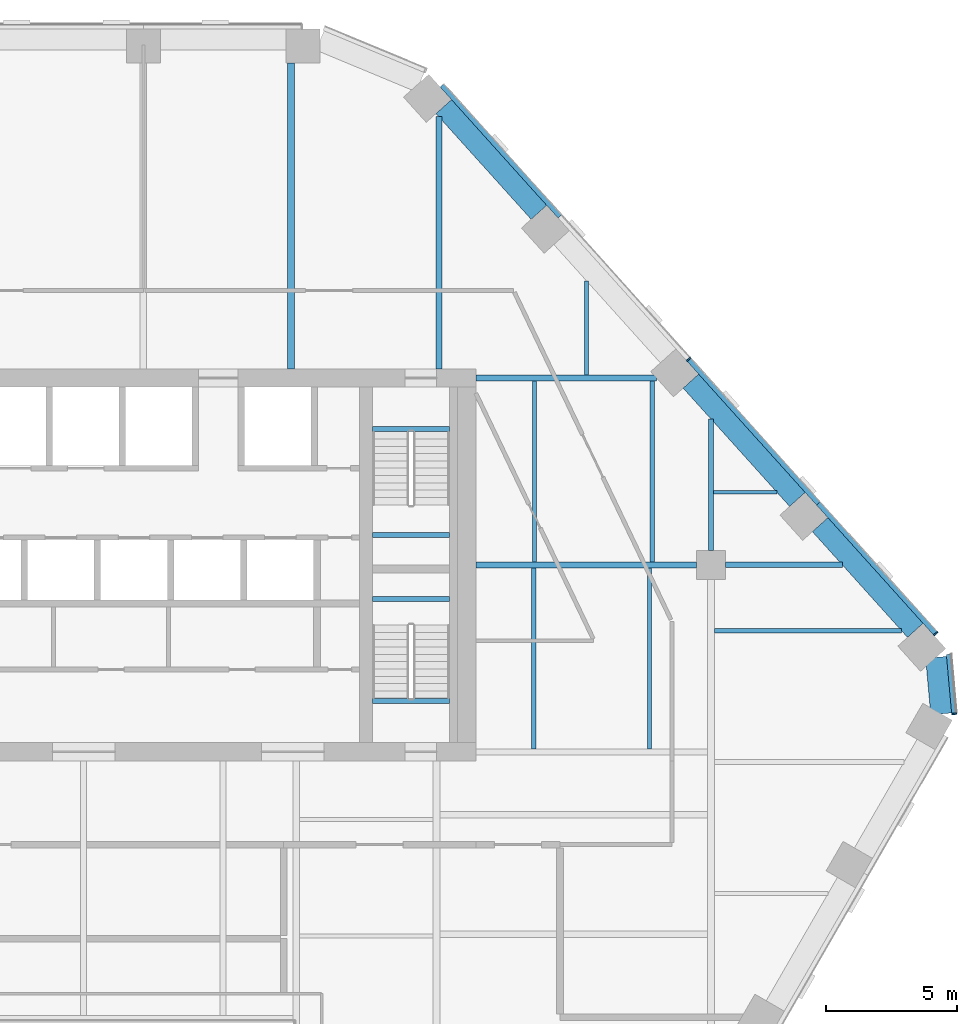
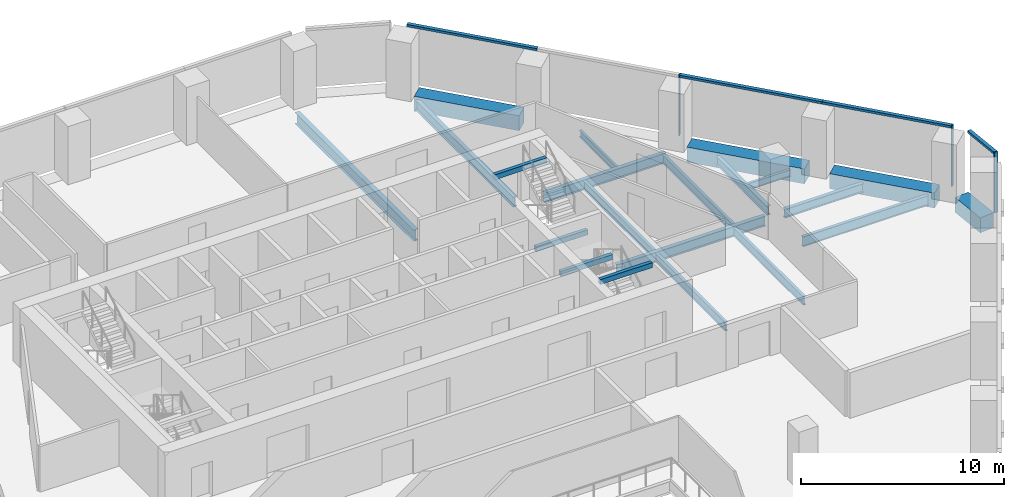
# One storey, part 8 of 17: 21 beams, 7 members, 2 elements without a shape of their own.
"""IFC4 building model written with IfcOpenShell, lengths in metres."""

import ifcopenshell
import ifcopenshell.guid

model = None  # the IFC model being written
_history = None  # IfcOwnerHistory: only IFC2X3 demands one
_inside = {}  # id of a spatial element -> (the spatial element, [elements in it])
_under = {}  # id of a project, library or spatial element -> (it, [spatial elements below it])
_declared = {}  # id of a project -> (the project, [libraries it declares])
_typed = {}  # id of a type object -> (the type object, [elements of that type])
_made_of = {}  # id of a material, layer set ... -> (it, [elements and type objects made of it])


def new_model(schema):
    """Start an empty IFC model of exactly this schema.

    Asked for "IFC4X3", IfcOpenShell would pick the latest addendum, in which some entities
    have other attributes; the version numbers below select the first issue.
    IFC2X3 requires an IfcOwnerHistory on every rooted entity: one is made here for all.
    """
    global model, _history
    if schema == "IFC4X3":
        model = ifcopenshell.file(schema_version=(4, 3, 0, 0))
    else:
        model = ifcopenshell.file(schema=schema)
    _inside.clear()
    _under.clear()
    _declared.clear()
    _typed.clear()
    _made_of.clear()
    _history = None
    if model.schema == "IFC2X3":
        org = make("IfcOrganization", Name="unknown")
        user = make(
            "IfcPersonAndOrganization",
            ThePerson=make("IfcPerson", FamilyName="unknown"),
            TheOrganization=org,
        )
        app = make(
            "IfcApplication",
            ApplicationDeveloper=org,
            Version="unknown",
            ApplicationFullName="unknown",
            ApplicationIdentifier="unknown",
        )
        _history = make(
            "IfcOwnerHistory",
            OwningUser=user,
            OwningApplication=app,
            ChangeAction="ADDED",
            CreationDate=0,
        )
    return model


def make(cls, **values):
    """One entity of the class cls with the attributes given. An attribute that is None is left unset."""
    return model.create_entity(
        cls, **{name: value for name, value in values.items() if value is not None}
    )


def rooted(cls, **values):
    """An entity with a GlobalId (a new one), such as an element, a storey or a relation."""
    return make(cls, GlobalId=ifcopenshell.guid.new(), OwnerHistory=_history, **values)


def si_unit(unit_type, name, prefix=None):
    """IfcSIUnit, for example si_unit("LENGTHUNIT", "METRE", prefix="MILLI")."""
    return make("IfcSIUnit", UnitType=unit_type, Prefix=prefix, Name=name)


def assignment(units):
    """IfcUnitAssignment: the units of a project."""
    return None if units is None else make("IfcUnitAssignment", Units=units)


def point(xyz):
    """IfcCartesianPoint."""
    return None if xyz is None else make("IfcCartesianPoint", Coordinates=xyz)


def direction(xyz):
    """IfcDirection."""
    return None if xyz is None else make("IfcDirection", DirectionRatios=xyz)


def frame(location, z_axis=None, x_axis=None):
    """IfcAxis2Placement3D, a coordinate frame: its origin and axes. An axis left out is left unset."""
    return make(
        "IfcAxis2Placement3D",
        Location=point(location),
        Axis=direction(z_axis),
        RefDirection=direction(x_axis),
    )


def frame_2d(location, x_axis=None):
    """IfcAxis2Placement2D, a coordinate frame in the plane: its origin and x axis."""
    return make(
        "IfcAxis2Placement2D", Location=point(location), RefDirection=direction(x_axis)
    )


def origin():
    """The frame at (0, 0, 0) with its axes left unset."""
    return frame((0.0, 0.0, 0.0))


def origin_2d():
    """The frame at (0, 0) in the plane with its x axis left unset."""
    return frame_2d((0.0, 0.0))


def place(relative_to, where):
    """IfcLocalPlacement: puts the frame where relative to a parent placement (None: the world)."""
    return make(
        "IfcLocalPlacement", PlacementRelTo=relative_to, RelativePlacement=where
    )


def context(
    kind, dimensions, precision=None, world=None, true_north=None, identifier=None
):
    """IfcGeometricRepresentationContext, for example the 3D "Model" context."""
    return make(
        "IfcGeometricRepresentationContext",
        ContextIdentifier=identifier,
        ContextType=kind,
        CoordinateSpaceDimension=dimensions,
        Precision=precision,
        WorldCoordinateSystem=world,
        TrueNorth=true_north,
    )


def subcontext(parent, identifier, kind, view, scale=None):
    """IfcGeometricRepresentationSubContext, for example "Body" below "Model"."""
    return make(
        "IfcGeometricRepresentationSubContext",
        ContextIdentifier=identifier,
        ContextType=kind,
        ParentContext=parent,
        TargetScale=scale,
        TargetView=view,
    )


def project(units=None, contexts=None):
    """IfcProject with its units and contexts."""
    return rooted(
        "IfcProject",
        Name="project",
        RepresentationContexts=contexts,
        UnitsInContext=assignment(units),
    )


def spatial(cls, under=None, at=None, **own):
    """A site, building, storey or space (cls), placed at a placement, below another one or the project."""
    s = rooted(cls, ObjectPlacement=at, **own)
    if under is not None:
        _under.setdefault(under.id(), (under, []))[1].append(s)
    return s


def profile(cls, at=None, kind="AREA", **sizes):
    """A parametric profile (cls). Its sizes go by their IFC names, for example OverallWidth=200.0."""
    return make(cls, ProfileType=kind, Position=at, **sizes)


def rectangle(**sizes):
    """IfcRectangleProfileDef."""
    return profile("IfcRectangleProfileDef", **sizes)


def i_section(**sizes):
    """IfcIShapeProfileDef."""
    return profile("IfcIShapeProfileDef", **sizes)


def extrude(swept, where, along, depth):
    """IfcExtrudedAreaSolid: the profile swept, set in the frame where, extruded along a direction by depth."""
    return make(
        "IfcExtrudedAreaSolid",
        SweptArea=swept,
        Position=where,
        ExtrudedDirection=direction(along),
        Depth=depth,
    )


def shape(context_of_items, identifier, shape_type, items):
    """IfcShapeRepresentation: the items that make up one representation, for example the "Body"."""
    return make(
        "IfcShapeRepresentation",
        ContextOfItems=context_of_items,
        RepresentationIdentifier=identifier,
        RepresentationType=shape_type,
        Items=items,
    )


def material(Name=None, Category=None):
    """IfcMaterial."""
    return make("IfcMaterial", Name=Name, Category=Category)


def layer(
    of_material, thickness, ventilated=None, Name=None, Category=None, Priority=None
):
    """IfcMaterialLayer: one layer of a wall or slab, of a material (None: an air gap)."""
    return make(
        "IfcMaterialLayer",
        Material=of_material,
        LayerThickness=thickness,
        IsVentilated=ventilated,
        Name=Name,
        Category=Category,
        Priority=Priority,
    )


def layer_set(layers, Name=None):
    """IfcMaterialLayerSet."""
    return make("IfcMaterialLayerSet", MaterialLayers=layers, LayerSetName=Name)


def material_profile(
    of_material, cross_section, Name=None, Category=None, Priority=None
):
    """IfcMaterialProfile: a cross section and its material."""
    return make(
        "IfcMaterialProfile",
        Name=Name,
        Material=of_material,
        Profile=cross_section,
        Priority=Priority,
        Category=Category,
    )


def profile_set(profiles, Name=None, composite=None):
    """IfcMaterialProfileSet."""
    return make(
        "IfcMaterialProfileSet",
        Name=Name,
        MaterialProfiles=profiles,
        CompositeProfile=composite,
    )


def made_of(thing, what):
    """Note that an element or type object is made of a material, layer set ...; save() writes the relation."""
    if what is not None:
        _made_of.setdefault(what.id(), (what, []))[1].append(thing)
    return thing


def type_object(cls, material=None, **own):
    """A type object (cls), such as IfcWallType, which elements share."""
    return made_of(rooted(cls, **own), material)


def element(
    cls,
    number,
    at=None,
    inside=None,
    cuts=None,
    type_object=None,
    material=None,
    context=None,
    identifier="Body",
    shape_type=None,
    held_by="IfcProductDefinitionShape",
    body=None,
    shapes=None,
    **own,
):
    """One element of the class cls, such as IfcWall. Its Tag is "e" and its number.

    at: its placement. inside: the storey or other place that contains it. cuts: it is an
    opening in that element (IfcRelVoidsElement). A single representation is given by context,
    identifier, shape_type and body (its items); several are given by shapes. held_by: the class
    of the entity that holds the representations. save() writes the other relations.
    """
    e = rooted(cls, Tag="e%d" % number, ObjectPlacement=at, **own)
    if body is not None:
        shapes = [shape(context, identifier, shape_type, body)]
    if shapes is not None:
        e.Representation = make(held_by, Representations=shapes)
    if inside is not None:
        _inside.setdefault(inside.id(), (inside, []))[1].append(e)
    if cuts is not None:
        rooted(
            "IfcRelVoidsElement", RelatingBuildingElement=cuts, RelatedOpeningElement=e
        )
    if type_object is not None:
        _typed.setdefault(type_object.id(), (type_object, []))[1].append(e)
    return made_of(e, material)


def aggregate(whole, parts):
    """IfcRelAggregates: a whole, such as a stair, and the parts it consists of."""
    return rooted("IfcRelAggregates", RelatingObject=whole, RelatedObjects=parts)


def save(model, path):
    """Write the relations noted so far, then the file.

    IfcRelAggregates (storeys below a building ...), IfcRelContainedInSpatialStructure (elements
    in a storey), IfcRelDefinesByType, IfcRelAssociatesMaterial and IfcRelDeclares: one each for
    every whole, place, type object, material and project.
    """
    for whole, parts in _under.values():
        aggregate(whole, parts)
    for where, things in _inside.values():
        rooted(
            "IfcRelContainedInSpatialStructure",
            RelatedElements=things,
            RelatingStructure=where,
        )
    for kind, things in _typed.values():
        rooted("IfcRelDefinesByType", RelatedObjects=things, RelatingType=kind)
    for what, things in _made_of.values():
        rooted("IfcRelAssociatesMaterial", RelatedObjects=things, RelatingMaterial=what)
    for by, libraries in _declared.values():
        rooted("IfcRelDeclares", RelatingContext=by, RelatedDefinitions=libraries)
    model.write(path)


model = new_model("IFC4")

# Units and contexts
model_context = context("Model", 3, precision=1e-05, world=origin(), true_north=direction((0.0, 1.0)))
body_context = subcontext(model_context, "Body", "Model", "MODEL_VIEW")
ifc_project = project(units=[si_unit("LENGTHUNIT", "METRE"), si_unit("AREAUNIT", "SQUARE_METRE"), si_unit("VOLUMEUNIT", "CUBIC_METRE"), si_unit("PLANEANGLEUNIT", "RADIAN"), si_unit("MASSUNIT", "GRAM", prefix="KILO")], contexts=[model_context])

# Site, building, storey
site_placement = place(None, origin())
site = spatial("IfcSite", under=ifc_project, at=site_placement, CompositionType="ELEMENT")
building_placement = place(site_placement, origin())
building = spatial("IfcBuilding", under=site, at=building_placement, Name="Isthmus Gate Tower", CompositionType="ELEMENT")
storey_placement = place(building_placement, frame((0.0, 0.0, 200.0)))
storey = spatial("IfcBuildingStorey", under=building, at=storey_placement, Name="L50", CompositionType="ELEMENT", Elevation=200.0)

# Curtain wall, member
ifc_material_1 = material(Name="Aluminium, pale champagne anodised", Category="aluminium")
ifc_layer = layer(ifc_material_1, 0.199951171875)
ifc_layer_set = layer_set([ifc_layer], Name="CW-1 UNITISED CURTAIN WALL 200 DEEP")
curtain_wall_type = type_object("IfcCurtainWallType", Name="CW-1 UNITISED CURTAIN WALL 200 DEEP", PredefinedType="NOTDEFINED", material=ifc_layer_set)
curtain_wall_1_placement = place(storey_placement, origin())
curtain_wall_1 = element("IfcCurtainWall", 1, at=curtain_wall_1_placement, inside=storey, type_object=curtain_wall_type, Name="CW-1 SE-NE L50", PredefinedType="NOTDEFINED")
ifc_material_2 = material(Name="Aluminium, pale champagne anodised", Category="aluminium")
ifc_material_profile_1 = material_profile(ifc_material_2, rectangle(XDim=0.06005859375, YDim=0.199951171875, at=origin_2d()), Name="60x200")
ifc_profile_set_1 = profile_set([ifc_material_profile_1], Name="Aluminium, pale champagne anodised")
member_type_1 = type_object("IfcMemberType", Name="CW-1 MULLION 60 X 200", PredefinedType="MULLION", material=ifc_profile_set_1)
member_1_placement = place(storey_placement, frame((33.307861328125, 1.804443359375, 0.0), z_axis=(0.0, 0.0, 1.0), x_axis=(-0.089396669717, 0.995996102123, 0.0)))
member_1 = element("IfcMember", 2, at=member_1_placement, type_object=member_type_1, Name="CW-1 mullion", PredefinedType="MULLION", context=body_context, shape_type="SweptSolid", body=[
    extrude(rectangle(XDim=0.06005859375, YDim=0.199951171875, at=origin_2d()), origin(), (0.0, 0.0, 1.0), 3.64990234375),
])

# Curtain wall, members
curtain_wall_2_placement = place(storey_placement, origin())
curtain_wall_2 = element("IfcCurtainWall", 3, at=curtain_wall_2_placement, inside=storey, type_object=curtain_wall_type, Name="CW-1 NE L50", PredefinedType="NOTDEFINED")
member_2_placement = place(storey_placement, frame((32.602783203125, 4.871337890625, 0.0), z_axis=(0.0, 0.0, 1.0), x_axis=(-0.669130606359, 0.743144825477, 0.0)))
member_2 = element("IfcMember", 4, at=member_2_placement, type_object=member_type_1, Name="CW-1 mullion", PredefinedType="MULLION", context=body_context, shape_type="SweptSolid", body=[
    extrude(rectangle(XDim=0.06005859375, YDim=0.199951171875, at=origin_2d()), origin(), (0.0, 0.0, 1.0), 3.64990234375),
])
member_3_placement = place(storey_placement, frame((23.14697265625, 15.373046875, 0.0), z_axis=(0.0, 0.0, 1.0), x_axis=(-0.669130606359, 0.743144825477, 0.0)))
member_3 = element("IfcMember", 5, at=member_3_placement, type_object=member_type_1, Name="CW-1 mullion", PredefinedType="MULLION", context=body_context, shape_type="SweptSolid", body=[
    extrude(rectangle(XDim=0.06005859375, YDim=0.199951171875, at=origin_2d()), origin(), (0.0, 0.0, 1.0), 3.64990234375),
])

# Member
ifc_material_3 = material(Name="Aluminium, pale champagne anodised", Category="aluminium")
ifc_material_profile_2 = material_profile(ifc_material_3, rectangle(XDim=0.199951171875, YDim=0.139892578125, at=origin_2d()), Name="200x140")
ifc_profile_set_2 = profile_set([ifc_material_profile_2], Name="Aluminium, pale champagne anodised")
member_type_2 = type_object("IfcMemberType", Name="CW-1 TRANSOM 200 X 140", PredefinedType="USERDEFINED", material=ifc_profile_set_2)
member_4_placement = place(storey_placement, frame((33.30517578125, 1.83447265625, 3.580078125), z_axis=(-0.089395362867, 0.995996219419, 0.0), x_axis=(-0.995996219419, -0.089395362867, 0.0)))
member_4 = element("IfcMember", 6, at=member_4_placement, type_object=member_type_2, Name="CW-1 transom", ObjectType="TRANSOM", PredefinedType="USERDEFINED", context=body_context, shape_type="SweptSolid", body=[
    extrude(rectangle(XDim=0.199951171875, YDim=0.139892578125, at=origin_2d()), origin(), (0.0, 0.0, 1.0), 2.258544921875),
])

aggregate(curtain_wall_1, [member_1, member_4])

member_5_placement = place(storey_placement, frame((32.582763671875, 4.8935546875, 3.580078125), z_axis=(-0.669138342957, 0.74313785934, 0.0), x_axis=(-0.74313785934, -0.669138342957, 0.0)))
member_5 = element("IfcMember", 7, at=member_5_placement, type_object=member_type_2, Name="CW-1 transom", ObjectType="TRANSOM", PredefinedType="USERDEFINED", context=body_context, shape_type="SweptSolid", body=[
    extrude(rectangle(XDim=0.199951171875, YDim=0.139892578125, at=origin_2d()), origin(), (0.0, 0.0, 1.0), 6.680908203125),
])

member_6_placement = place(storey_placement, frame((28.1123046875, 9.8583984375, 3.580078125), z_axis=(-0.669123495435, 0.74315122812, 0.0), x_axis=(-0.74315122812, -0.669123495435, 0.0)))
member_6 = element("IfcMember", 8, at=member_6_placement, type_object=member_type_2, Name="CW-1 transom", ObjectType="TRANSOM", PredefinedType="USERDEFINED", context=body_context, shape_type="SweptSolid", body=[
    extrude(rectangle(XDim=0.199951171875, YDim=0.139892578125, at=origin_2d()), origin(), (0.0, 0.0, 1.0), 7.390625),
])

member_7_placement = place(storey_placement, frame((18.221435546875, 20.84326171875, 3.580078125), z_axis=(-0.669102791064, 0.743169869538, 0.0), x_axis=(-0.743169869538, -0.669102791064, 0.0)))
member_7 = element("IfcMember", 9, at=member_7_placement, type_object=member_type_2, Name="CW-1 transom", ObjectType="TRANSOM", PredefinedType="USERDEFINED", context=body_context, shape_type="SweptSolid", body=[
    extrude(rectangle(XDim=0.199951171875, YDim=0.139892578125, at=origin_2d()), origin(), (0.0, 0.0, 1.0), 6.74072265625),
])

aggregate(curtain_wall_2, [member_2, member_5, member_6, member_3, member_7])

# Beams
ifc_material_4 = material(Name="Concrete f'c 60 MPa", Category="concrete")
ifc_material_profile_3 = material_profile(ifc_material_4, rectangle(XDim=0.800048828125, YDim=0.89990234375, at=origin_2d()), Name="RC 800X900")
ifc_profile_set_3 = profile_set([ifc_material_profile_3], Name="Concrete f'c 60 MPa")
beam_type_1 = type_object("IfcBeamType", Name="RC SPANDREL 800 X 900", PredefinedType="SPANDREL", material=ifc_profile_set_3)
beam_1_placement = place(storey_placement, frame((13.7744140625, 25.03515625, -0.449951171875), z_axis=(0.669118419563, -0.743155798337, 0.0), x_axis=(0.743155798337, 0.669118419563, 0.0)))
element("IfcBeam", 10, at=beam_1_placement, inside=storey, type_object=beam_type_1, Name="str-spandrel-L50-01", PredefinedType="SPANDREL", context=body_context, shape_type="SweptSolid", body=[
    extrude(rectangle(XDim=0.800048828125, YDim=0.89990234375, at=origin_2d()), origin(), (0.0, 0.0, 1.0), 5.44091796875),
])
beam_2_placement = place(storey_placement, frame((23.230224609375, 14.533203125, -0.449951171875), z_axis=(0.669141874065, -0.743134679835, 0.0), x_axis=(0.743134679835, 0.669141874065, 0.0)))
element("IfcBeam", 11, at=beam_2_placement, inside=storey, type_object=beam_type_1, Name="str-spandrel-L50-03", PredefinedType="SPANDREL", context=body_context, shape_type="SweptSolid", body=[
    extrude(rectangle(XDim=0.800048828125, YDim=0.89990234375, at=origin_2d()), origin(), (0.0, 0.0, 1.0), 6.0908203125),
])
beam_3_placement = place(storey_placement, frame((28.17578125, 9.040771484375, -0.449951171875), z_axis=(0.669140732593, -0.74313570765, 0.0), x_axis=(0.74313570765, 0.669140732593, 0.0)))
element("IfcBeam", 12, at=beam_3_placement, inside=storey, type_object=beam_type_1, Name="str-spandrel-L50-04", PredefinedType="SPANDREL", context=body_context, shape_type="SweptSolid", body=[
    extrude(rectangle(XDim=0.800048828125, YDim=0.89990234375, at=origin_2d()), origin(), (0.0, 0.0, 1.0), 5.440673828125),
])
beam_4_placement = place(storey_placement, frame((32.61181640625, 3.964599609375, -0.449951171875), z_axis=(0.089421511639, -0.995993872098, 0.0), x_axis=(0.995993872098, 0.089421511639, 0.0)))
element("IfcBeam", 13, at=beam_4_placement, inside=storey, type_object=beam_type_1, Name="str-spandrel-L50-05", PredefinedType="SPANDREL", context=body_context, shape_type="SweptSolid", body=[
    extrude(rectangle(XDim=0.800048828125, YDim=0.89990234375, at=origin_2d()), origin(), (0.0, 0.0, 1.0), 2.17333984375),
])
ifc_material_5 = material(Name="Concrete f'c 40 MPa", Category="concrete")
ifc_material_profile_4 = material_profile(ifc_material_5, rectangle(XDim=0.199951171875, YDim=0.300048828125, at=origin_2d()), Name="STAIR LANDING BEAM RC 200 X 300")
ifc_profile_set_4 = profile_set([ifc_material_profile_4], Name="Concrete f'c 40 MPa")
beam_type_2 = type_object("IfcBeamType", Name="STAIR LANDING BEAM RC 200 X 300", PredefinedType="BEAM", material=ifc_profile_set_4)
for number, where, z_axis, x_axis, name in (
    (14, (11.050048828125, 8.64990234375, 1.47509765625), (1.0, 0.0, 0.0), (0.0, 1.0, 0.0), "L50 ST2 landing beam 1"),
    (15, (11.050048828125, 12.7001953125, 3.35009765625), (1.0, 0.0, 0.0), (0.0, 1.0, 0.0), "L50 ST2 floor-edge seat beam"),
    (16, (11.050048828125, 6.199951171875, 1.47509765625), (1.0, 0.0, 0.0), (0.0, 1.0, 0.0), "L50 ST8 landing beam 1"),
    (17, (11.050048828125, 2.2998046875, 3.35009765625), (1.0, 0.0, 0.0), (0.0, 1.0, 0.0), "L50 ST8 floor-edge seat beam"),
):
    element("IfcBeam", number, at=place(storey_placement, frame(where, z_axis=z_axis, x_axis=x_axis)), inside=storey, type_object=beam_type_2, Name=name, PredefinedType="BEAM", context=body_context, shape_type="SweptSolid", body=[
        extrude(rectangle(XDim=0.199951171875, YDim=0.300048828125, at=origin_2d()), origin(), (0.0, 0.0, 1.0), 2.949951171875),
    ])
ifc_material_6 = material(Name="Structural steel ASTM A992 Gr 50", Category="steel")
ifc_material_profile_5 = material_profile(ifc_material_6, i_section(OverallWidth=0.1396484375, OverallDepth=0.4033203125, WebThickness=0.00634765625, FlangeThickness=0.010986328125, at=origin_2d()), Name="W16X31")
ifc_profile_set_5 = profile_set([ifc_material_profile_5], Name="Structural steel ASTM A992 Gr 50")
beam_type_3 = type_object("IfcBeamType", Name="STEEL FLOOR BEAM W16X31", PredefinedType="JOIST", material=ifc_profile_set_5)
beam_5_placement = place(storey_placement, frame((19.23681640625, 14.764404296875, -0.3515625), z_axis=(0.0, 1.0, 0.0), x_axis=(-1.0, 0.0, 0.0)))
element("IfcBeam", 18, at=beam_5_placement, inside=storey, type_object=beam_type_3, Name="str-beam-L50-05-07", PredefinedType="JOIST", context=body_context, shape_type="SweptSolid", body=[
    extrude(i_section(OverallWidth=0.1396484375, OverallDepth=0.4033203125, WebThickness=0.00634765625, FlangeThickness=0.010986328125, at=origin_2d()), origin(), (0.0, 0.0, 1.0), 3.6064453125),
])
beam_6_placement = place(storey_placement, frame((24.104736328125, 10.284423828125, -0.3515625), z_axis=(1.0, 0.0, 0.0), x_axis=(0.0, 1.0, 0.0)))
element("IfcBeam", 19, at=beam_6_placement, inside=storey, type_object=beam_type_3, Name="str-beam-L50-15-00", PredefinedType="JOIST", context=body_context, shape_type="SweptSolid", body=[
    extrude(i_section(OverallWidth=0.1396484375, OverallDepth=0.4033203125, WebThickness=0.00634765625, FlangeThickness=0.010986328125, at=origin_2d()), origin(), (0.0, 0.0, 1.0), 2.412841796875),
])
ifc_material_7 = material(Name="Structural steel ASTM A992 Gr 50", Category="steel")
ifc_material_profile_6 = material_profile(ifc_material_7, i_section(OverallWidth=0.1650390625, OverallDepth=0.52392578125, WebThickness=0.009521484375, FlangeThickness=0.010986328125, at=origin_2d()), Name="W21X44")
ifc_profile_set_6 = profile_set([ifc_material_profile_6], Name="Structural steel ASTM A992 Gr 50")
beam_type_4 = type_object("IfcBeamType", Name="STEEL FLOOR BEAM W21X44", PredefinedType="JOIST", material=ifc_profile_set_6)
for number, where, z_axis, x_axis, name in (
    (20, (17.25, 7.6142578125, -0.411865234375), (0.0, 1.0, 0.0), (-1.0, 0.0, 0.0), "str-beam-L50-13-00"),
    (21, (21.75, 7.6142578125, -0.411865234375), (0.0, 1.0, 0.0), (-1.0, 0.0, 0.0), "str-beam-L50-13-01"),
    (22, (17.216552734375, 0.46435546875, -0.411865234375), (0.0, 1.0, 0.0), (-1.0, 0.0, 0.0), "str-beam-L50-14-00"),
    (23, (21.64990234375, 0.46435546875, -0.411865234375), (0.0, 1.0, 0.0), (-1.0, 0.0, 0.0), "str-beam-L50-14-01"),
):
    element("IfcBeam", number, at=place(storey_placement, frame(where, z_axis=z_axis, x_axis=x_axis)), inside=storey, type_object=beam_type_4, Name=name, PredefinedType="JOIST", context=body_context, shape_type="SweptSolid", body=[
        extrude(i_section(OverallWidth=0.1650390625, OverallDepth=0.52392578125, WebThickness=0.009521484375, FlangeThickness=0.010986328125, at=origin_2d()), origin(), (0.0, 0.0, 1.0), 6.92138671875),
    ])
ifc_material_8 = material(Name="Structural steel ASTM A992 Gr 50", Category="steel")
ifc_material_profile_7 = material_profile(ifc_material_8, i_section(OverallWidth=0.177734375, OverallDepth=0.60009765625, WebThickness=0.009521484375, FlangeThickness=0.0126953125, at=origin_2d()), Name="W24X55")
ifc_profile_set_7 = profile_set([ifc_material_profile_7], Name="Structural steel ASTM A992 Gr 50")
beam_type_5 = type_object("IfcBeamType", Name="STEEL FLOOR BEAM W24X55", PredefinedType="JOIST", material=ifc_profile_set_7)
beam_7_placement = place(storey_placement, frame((24.13330078125, 4.987548828125, -0.449951171875), z_axis=(1.0, 0.0, 0.0), x_axis=(0.0, 1.0, 0.0)))
element("IfcBeam", 24, at=beam_7_placement, inside=storey, type_object=beam_type_5, Name="str-beam-L50-16-02", PredefinedType="JOIST", context=body_context, shape_type="SweptSolid", body=[
    extrude(i_section(OverallWidth=0.177734375, OverallDepth=0.60009765625, WebThickness=0.009521484375, FlangeThickness=0.0126953125, at=origin_2d()), origin(), (0.0, 0.0, 1.0), 7.15380859375),
])
ifc_material_9 = material(Name="Structural steel ASTM A992 Gr 50", Category="steel")
ifc_material_profile_8 = material_profile(ifc_material_9, i_section(OverallWidth=0.228515625, OverallDepth=0.603271484375, WebThickness=0.010986328125, FlangeThickness=0.014404296875, at=origin_2d()), Name="W24X68")
ifc_profile_set_8 = profile_set([ifc_material_profile_8], Name="Structural steel ASTM A992 Gr 50")
beam_type_6 = type_object("IfcBeamType", Name="STEEL FLOOR BEAM W24X68", PredefinedType="JOIST", material=ifc_profile_set_8)
beam_8_placement = place(storey_placement, frame((13.583984375, 15.0, -0.45166015625), z_axis=(0.0, 1.0, 0.0), x_axis=(-1.0, 0.0, 0.0)))
element("IfcBeam", 25, at=beam_8_placement, inside=storey, type_object=beam_type_6, Name="str-beam-L50-05-06", PredefinedType="JOIST", context=body_context, shape_type="SweptSolid", body=[
    extrude(i_section(OverallWidth=0.228515625, OverallDepth=0.603271484375, WebThickness=0.010986328125, FlangeThickness=0.014404296875, at=origin_2d()), origin(), (0.0, 0.0, 1.0), 9.648681640625),
])
ifc_material_10 = material(Name="Structural steel ASTM A992 Gr 50", Category="steel")
ifc_material_profile_9 = material_profile(ifc_material_10, i_section(OverallWidth=0.25390625, OverallDepth=0.679443359375, WebThickness=0.010986328125, FlangeThickness=0.015869140625, at=origin_2d()), Name="W27X84")
ifc_profile_set_9 = profile_set([ifc_material_profile_9], Name="Structural steel ASTM A992 Gr 50")
beam_type_7 = type_object("IfcBeamType", Name="STEEL FLOOR BEAM W27X84", PredefinedType="JOIST", material=ifc_profile_set_9)
beam_9_placement = place(storey_placement, frame((7.93115234375, 15.0, -0.48974609375), z_axis=(0.0, 1.0, 0.0), x_axis=(-1.0, 0.0, 0.0)))
element("IfcBeam", 26, at=beam_9_placement, inside=storey, type_object=beam_type_7, Name="str-beam-L50-05-05", PredefinedType="JOIST", context=body_context, shape_type="SweptSolid", body=[
    extrude(i_section(OverallWidth=0.25390625, OverallDepth=0.679443359375, WebThickness=0.010986328125, FlangeThickness=0.015869140625, at=origin_2d()), origin(), (0.0, 0.0, 1.0), 11.699951171875),
])
ifc_material_11 = material(Name="Structural steel ASTM A992 Gr 50", Category="steel")
ifc_material_profile_10 = material_profile(ifc_material_11, i_section(OverallWidth=0.20947265625, OverallDepth=0.533447265625, WebThickness=0.009521484375, FlangeThickness=0.015869140625, at=origin_2d()), Name="W21X62")
ifc_profile_set_10 = profile_set([ifc_material_profile_10], Name="Structural steel ASTM A992 Gr 50")
beam_type_8 = type_object("IfcBeamType", Name="STEEL GIRDER W21X62", PredefinedType="BEAM", material=ifc_profile_set_10)
beam_10_placement = place(storey_placement, frame((24.550048828125, 7.5, -0.416748046875), z_axis=(1.0, 0.0, 0.0), x_axis=(0.0, 1.0, 0.0)))
element("IfcBeam", 27, at=beam_10_placement, inside=storey, type_object=beam_type_8, Name="str-girder-L50-06", PredefinedType="BEAM", context=body_context, shape_type="SweptSolid", body=[
    extrude(i_section(OverallWidth=0.20947265625, OverallDepth=0.533447265625, WebThickness=0.009521484375, FlangeThickness=0.015869140625, at=origin_2d()), origin(), (0.0, 0.0, 1.0), 4.474853515625),
])
beam_11_placement = place(storey_placement, frame((24.0, 8.050048828125, -0.416748046875), z_axis=(0.0, 1.0, 0.0), x_axis=(-1.0, 0.0, 0.0)))
element("IfcBeam", 28, at=beam_11_placement, inside=storey, type_object=beam_type_8, Name="str-girder-L50-12", PredefinedType="BEAM", context=body_context, shape_type="SweptSolid", body=[
    extrude(i_section(OverallWidth=0.20947265625, OverallDepth=0.533447265625, WebThickness=0.009521484375, FlangeThickness=0.015869140625, at=origin_2d()), origin(), (0.0, 0.0, 1.0), 5.030517578125),
])
ifc_material_12 = material(Name="Structural steel ASTM A992 Gr 50", Category="steel")
ifc_material_profile_11 = material_profile(ifc_material_12, i_section(OverallWidth=0.228515625, OverallDepth=0.603271484375, WebThickness=0.010986328125, FlangeThickness=0.014404296875, at=origin_2d()), Name="W24X68")
ifc_profile_set_11 = profile_set([ifc_material_profile_11], Name="Structural steel ASTM A992 Gr 50")
beam_type_9 = type_object("IfcBeamType", Name="STEEL GIRDER W24X68", PredefinedType="BEAM", material=ifc_profile_set_11)
beam_12_placement = place(storey_placement, frame((15.0, 14.64990234375, -0.45166015625), z_axis=(1.0, 0.0, 0.0), x_axis=(0.0, 1.0, 0.0)))
element("IfcBeam", 29, at=beam_12_placement, inside=storey, type_object=beam_type_9, Name="str-girder-L50-16", PredefinedType="BEAM", context=body_context, shape_type="SweptSolid", body=[
    extrude(i_section(OverallWidth=0.228515625, OverallDepth=0.603271484375, WebThickness=0.010986328125, FlangeThickness=0.014404296875, at=origin_2d()), origin(), (0.0, 0.0, 1.0), 6.9140625),
])
ifc_material_13 = material(Name="Structural steel ASTM A992 Gr 50", Category="steel")
ifc_material_profile_12 = material_profile(ifc_material_13, i_section(OverallWidth=0.228515625, OverallDepth=0.6064453125, WebThickness=0.010986328125, FlangeThickness=0.017578125, at=origin_2d()), Name="W24X76")
ifc_profile_set_12 = profile_set([ifc_material_profile_12], Name="Structural steel ASTM A992 Gr 50")
beam_type_10 = type_object("IfcBeamType", Name="STEEL GIRDER W24X76", PredefinedType="BEAM", material=ifc_profile_set_12)
beam_13_placement = place(storey_placement, frame((15.0, 7.5, -0.453125), z_axis=(1.0, 0.0, 0.0), x_axis=(0.0, 1.0, 0.0)))
element("IfcBeam", 30, at=beam_13_placement, inside=storey, type_object=beam_type_10, Name="str-girder-L50-05", PredefinedType="BEAM", context=body_context, shape_type="SweptSolid", body=[
    extrude(i_section(OverallWidth=0.228515625, OverallDepth=0.6064453125, WebThickness=0.010986328125, FlangeThickness=0.017578125, at=origin_2d()), origin(), (0.0, 0.0, 1.0), 8.449951171875),
])

save(model, "model.ifc")
